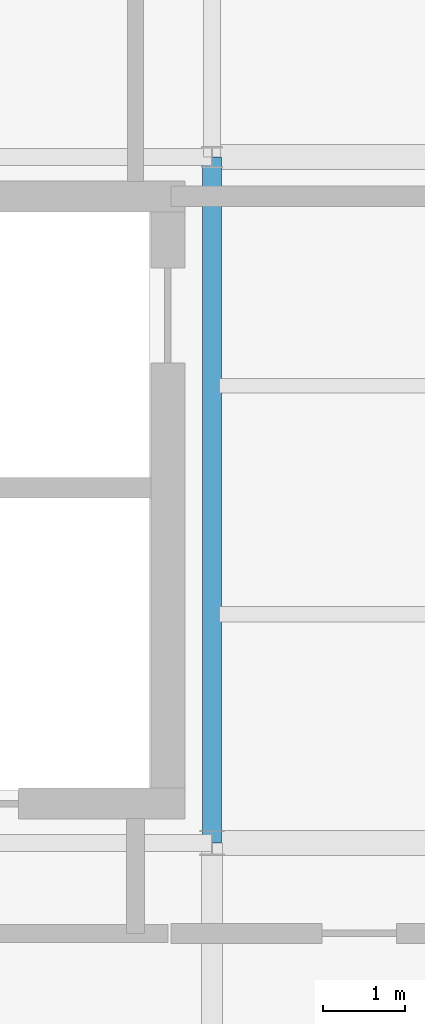
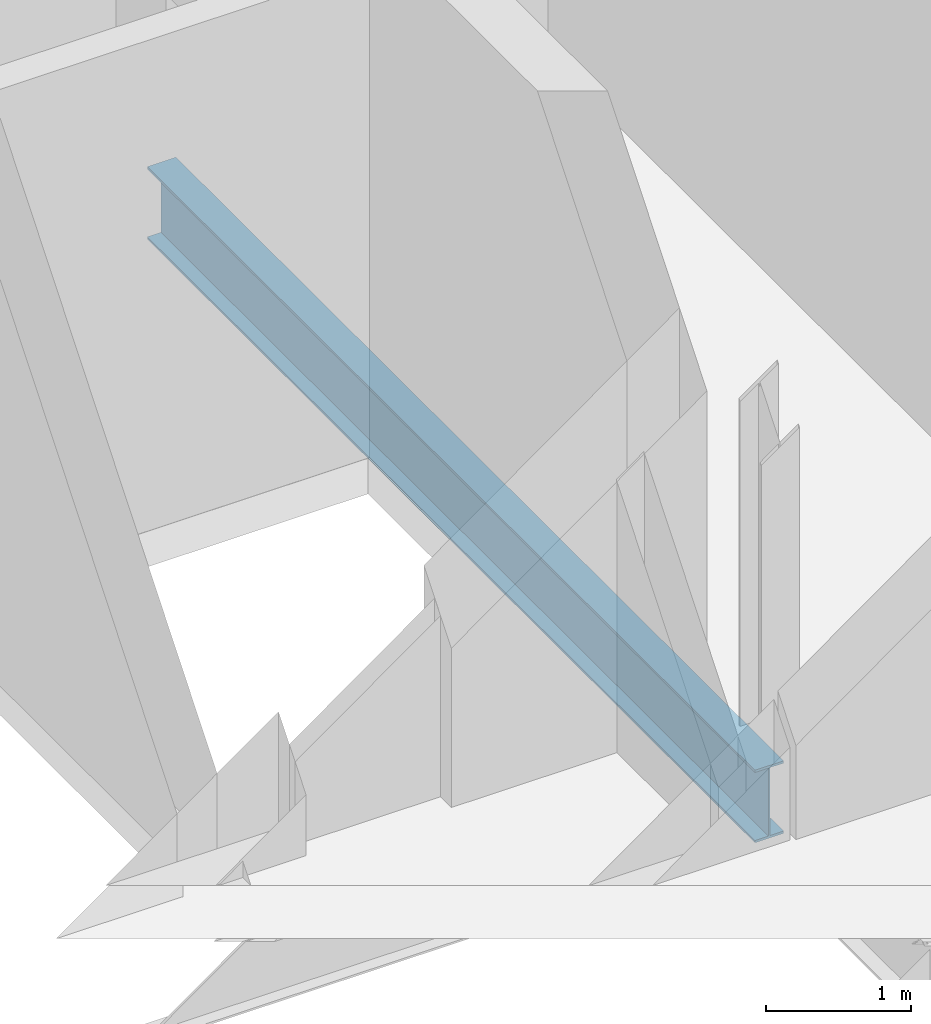
# One storey, part 10 of 66: 1 beam.
"""IFC4 building model written with IfcOpenShell, lengths in metres."""

from ifc_helpers import new_model, si_unit, direction, frame, origin_with_axes, origin_2d_with_axis, place, context, subcontext, project, spatial, i_section, extrude, material, material_profile, profile_set, type_object, element, save


model = new_model("IFC4")

# Units and contexts
model_context = context("Model", 3, precision=1e-05, world=origin_with_axes(), true_north=direction((0.0, 1.0)))
body_context = subcontext(model_context, "Body", "Model", "MODEL_VIEW")
ifc_project = project(units=[si_unit("LENGTHUNIT", "METRE"), si_unit("AREAUNIT", "SQUARE_METRE"), si_unit("VOLUMEUNIT", "CUBIC_METRE"), si_unit("PLANEANGLEUNIT", "RADIAN"), si_unit("MASSUNIT", "GRAM", prefix="KILO"), si_unit("THERMODYNAMICTEMPERATUREUNIT", "KELVIN")], contexts=[model_context])

# Site, building, storey
site_placement = place(None, origin_with_axes())
site = spatial("IfcSite", under=ifc_project, at=site_placement, CompositionType="ELEMENT")
building_placement = place(site_placement, origin_with_axes())
building = spatial("IfcBuilding", under=site, at=building_placement, Name="Montbau Bow Law Courts", CompositionType="ELEMENT")
storey_placement = place(building_placement, frame((0.0, 0.0, 34.5), z_axis=(0.0, 0.0, 1.0), x_axis=(1.0, 0.0, 0.0)))
storey = spatial("IfcBuildingStorey", under=building, at=storey_placement, Name="L07", CompositionType="ELEMENT", Elevation=34.5)

# Beam
ifc_material = material(Name="Steel CSA G40.21 Grade 350W (350 MPa)", Category="steel")
ifc_material_profile = material_profile(ifc_material, i_section(OverallWidth=0.229, OverallDepth=0.612, WebThickness=0.0119, FlangeThickness=0.0196, at=origin_2d_with_axis()), Name="W610X125", Category="Main", Priority=0)
ifc_profile_set = profile_set([ifc_material_profile], Name="Steel CSA G40.21 Grade 350W (350 MPa)")
beam_type = type_object("IfcBeamType", Name="B-FLR-05", PredefinedType="BEAM", material=ifc_profile_set)
beam_placement = place(None, frame((22.2, 46.2, 33.894), z_axis=(0.0, 1.0, 0.0), x_axis=(-1.0, 0.0, 0.0)))
element("IfcBeam", 1, at=beam_placement, inside=storey, type_object=beam_type, Name="BM-L07-S0747:bm2_0750", PredefinedType="BEAM", context=body_context, shape_type="SweptSolid", body=[
    extrude(i_section(OverallWidth=0.229, OverallDepth=0.612, WebThickness=0.0119, FlangeThickness=0.0196, at=origin_2d_with_axis()), origin_with_axes(), (0.0, 0.0, 1.0), 8.4),
])

save(model, "model.ifc")
